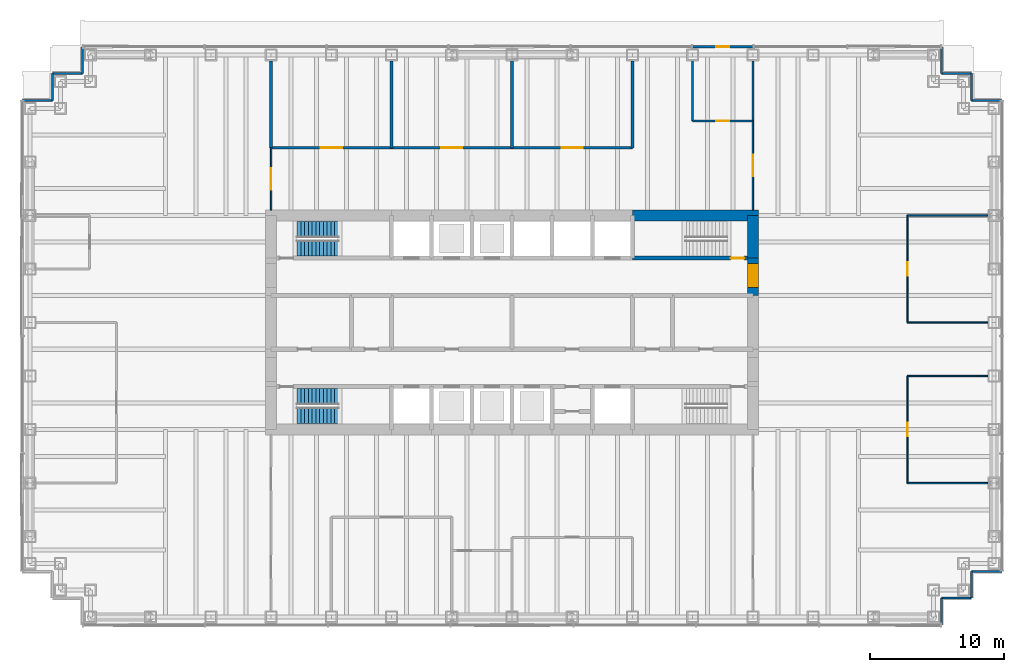
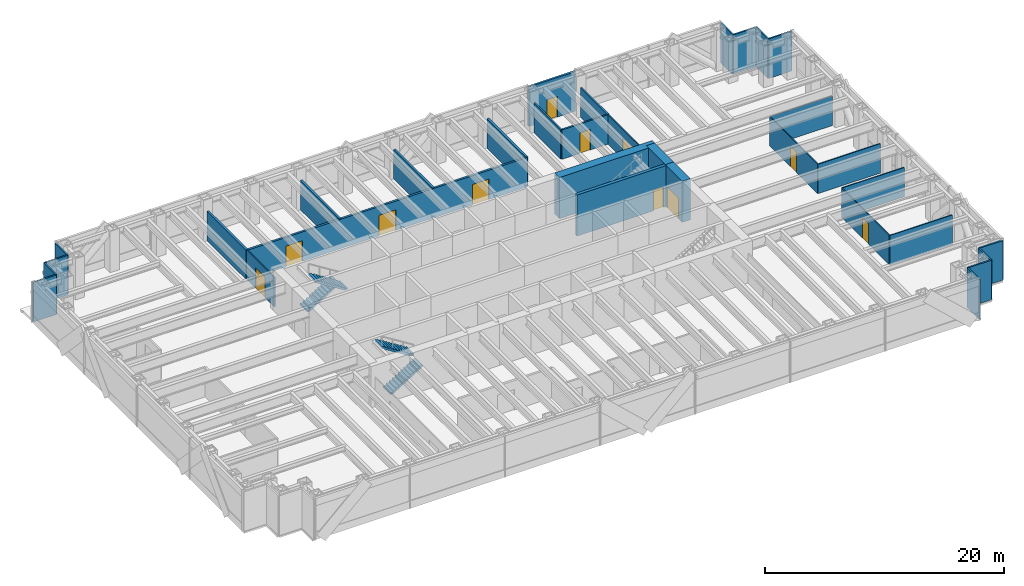
# One storey, part 11 of 14: 33 walls, 11 doors, 4 stair flights, 11 openings, 2 elements without a shape of their own.
"""IFC4 building model written with IfcOpenShell, lengths in metres."""

from ifc_helpers import new_model, si_unit, direction, frame, frame_2d, origin, place, context, subcontext, project, spatial, polyline, rectangle, outline, extrude, material, layer, layer_set, type_object, element, fill, aggregate, save


model = new_model("IFC4")

# Units and contexts
model_context = context("Model", 3, precision=1e-05, world=origin(), true_north=direction((0.0, 1.0)))
body_context = subcontext(model_context, "Body", "Model", "MODEL_VIEW")
ifc_project = project(units=[si_unit("LENGTHUNIT", "METRE"), si_unit("AREAUNIT", "SQUARE_METRE"), si_unit("VOLUMEUNIT", "CUBIC_METRE"), si_unit("PLANEANGLEUNIT", "RADIAN"), si_unit("MASSUNIT", "GRAM", prefix="KILO")], contexts=[model_context])

# Site, building, storey
site_placement = place(None, origin())
site = spatial("IfcSite", under=ifc_project, at=site_placement, CompositionType="ELEMENT")
building_placement = place(site_placement, origin())
building = spatial("IfcBuilding", under=site, at=building_placement, Name="Rheinbord Bourse Tower", CompositionType="ELEMENT")
storey_placement = place(building_placement, frame((0.0, 0.0, 185.800048828125)))
storey = spatial("IfcBuildingStorey", under=building, at=storey_placement, Name="L41", CompositionType="ELEMENT", Elevation=185.800048828125)

# Wall, openings, doors
ifc_material_1 = material(Name="Acoustic gypsum board partition", Category="gypsum board")
ifc_layer_1 = layer(ifc_material_1, 0.199951171875)
ifc_layer_set_1 = layer_set([ifc_layer_1], Name="ACOUSTIC PARTITION 200")
wall_type_1 = type_object("IfcWallType", Name="ACOUSTIC PARTITION 200", PredefinedType="PARTITIONING", material=ifc_layer_set_1)
wall_1_placement = place(storey_placement, frame((18.0, 37.050048828125, 0.0), z_axis=(0.0, 0.0, 1.0), x_axis=(1.0, 0.0, 0.0)))
wall_1 = element("IfcWall", 1, at=wall_1_placement, inside=storey, type_object=wall_type_1, Name="Partition L41-12", PredefinedType="PARTITIONING", context=body_context, shape_type="SweptSolid", body=[
    extrude(rectangle(XDim=27.0, YDim=0.199951171875, at=frame_2d((13.5, 0.0))), origin(), (0.0, 0.0, 1.0), 3.0),
])
opening_1_placement = place(wall_1_placement, frame((3.699951171875, 0.0, 0.0)))
opening_1 = element("IfcOpeningElement", 2, at=opening_1_placement, cuts=wall_1, Name="Opening 41D08", PredefinedType="OPENING", context=body_context, shape_type="SweptSolid", body=[
    extrude(rectangle(XDim=1.60009765625, YDim=2.10009765625, at=frame_2d((0.800048828125, 1.050048828125))), frame((0.0, 0.10986328125, 0.0), z_axis=(0.0, -1.0, 0.0), x_axis=(1.0, 0.0, 0.0)), (0.0, 0.0, 1.0), 0.219970703125),
])
opening_2_placement = place(wall_1_placement, frame((12.699951171875, 0.0, 0.0)))
opening_2 = element("IfcOpeningElement", 3, at=opening_2_placement, cuts=wall_1, Name="Opening 41D09", PredefinedType="OPENING", context=body_context, shape_type="SweptSolid", body=[
    extrude(rectangle(XDim=1.60009765625, YDim=2.10009765625, at=frame_2d((0.800048828125, 1.050048828125))), frame((0.0, 0.10986328125, 0.0), z_axis=(0.0, -1.0, 0.0), x_axis=(1.0, 0.0, 0.0)), (0.0, 0.0, 1.0), 0.219970703125),
])
opening_3_placement = place(wall_1_placement, frame((21.699951171875, 0.0, 0.0)))
opening_3 = element("IfcOpeningElement", 4, at=opening_3_placement, cuts=wall_1, Name="Opening 41D10", PredefinedType="OPENING", context=body_context, shape_type="SweptSolid", body=[
    extrude(rectangle(XDim=1.60009765625, YDim=2.10009765625, at=frame_2d((0.800048828125, 1.050048828125))), frame((0.0, 0.10986328125, 0.0), z_axis=(0.0, -1.0, 0.0), x_axis=(1.0, 0.0, 0.0)), (0.0, 0.0, 1.0), 0.219970703125),
])
ifc_material_2 = material(Name="Timber door", Category="wood")
door_type_1 = type_object("IfcDoorType", Name="DOUBLE ROOM DOOR 1600", OperationType="DOUBLE_DOOR_DOUBLE_SWING", PredefinedType="DOOR", material=ifc_material_2)
door_1_placement = place(opening_1_placement, origin())
door_1 = element("IfcDoor", 5, at=door_1_placement, inside=storey, type_object=door_type_1, Name="Conference room door L41", OperationType="SINGLE_SWING_LEFT", OverallHeight=2.10009765625, OverallWidth=1.60009765625, PredefinedType="DOOR", context=body_context, shape_type="SweptSolid", body=[
    extrude(rectangle(XDim=1.60009765625, YDim=2.10009765625, at=frame_2d((0.800048828125, 1.050048828125))), frame((0.0, 0.02490234375, 0.0), z_axis=(0.0, -1.0, 0.0), x_axis=(1.0, 0.0, 0.0)), (0.0, 0.0, 1.0), 0.050048828125),
])
fill(opening_1, door_1)
door_2_placement = place(opening_2_placement, origin())
door_2 = element("IfcDoor", 6, at=door_2_placement, inside=storey, type_object=door_type_1, Name="Conference room door L41", OperationType="SINGLE_SWING_LEFT", OverallHeight=2.10009765625, OverallWidth=1.60009765625, PredefinedType="DOOR", context=body_context, shape_type="SweptSolid", body=[
    extrude(rectangle(XDim=1.60009765625, YDim=2.10009765625, at=frame_2d((0.800048828125, 1.050048828125))), frame((0.0, 0.02490234375, 0.0), z_axis=(0.0, -1.0, 0.0), x_axis=(1.0, 0.0, 0.0)), (0.0, 0.0, 1.0), 0.050048828125),
])
fill(opening_2, door_2)
door_3_placement = place(opening_3_placement, origin())
door_3 = element("IfcDoor", 7, at=door_3_placement, inside=storey, type_object=door_type_1, Name="Conference room door L41", OperationType="SINGLE_SWING_LEFT", OverallHeight=2.10009765625, OverallWidth=1.60009765625, PredefinedType="DOOR", context=body_context, shape_type="SweptSolid", body=[
    extrude(rectangle(XDim=1.60009765625, YDim=2.10009765625, at=frame_2d((0.800048828125, 1.050048828125))), frame((0.0, 0.02490234375, 0.0), z_axis=(0.0, -1.0, 0.0), x_axis=(1.0, 0.0, 0.0)), (0.0, 0.0, 1.0), 0.050048828125),
])
fill(opening_3, door_3)

# Walls
for number, where, z_axis, x_axis, name in (
    (8, (18.0, 37.050048828125, 0.0), (0.0, 0.0, 1.0), (0.0, 1.0, 0.0), "Partition L41-18"),
    (9, (27.0, 37.050048828125, 0.0), (0.0, 0.0, 1.0), (0.0, 1.0, 0.0), "Partition L41-20"),
    (10, (36.0, 37.050048828125, 0.0), (0.0, 0.0, 1.0), (0.0, 1.0, 0.0), "Partition L41-23"),
    (11, (45.0, 37.050048828125, 0.0), (0.0, 0.0, 1.0), (0.0, 1.0, 0.0), "Partition L41-25"),
):
    element("IfcWall", number, at=place(storey_placement, frame(where, z_axis=z_axis, x_axis=x_axis)), inside=storey, type_object=wall_type_1, Name=name, PredefinedType="PARTITIONING", context=body_context, shape_type="SweptSolid", body=[
        extrude(rectangle(XDim=6.5, YDim=0.199951171875, at=frame_2d((3.25, 0.0))), origin(), (0.0, 0.0, 1.0), 3.0),
    ])

# Wall, opening, door
ifc_material_3 = material(Name="Concrete C50/60", Category="concrete")
ifc_layer_2 = layer(ifc_material_3, 0.300048828125)
ifc_layer_set_2 = layer_set([ifc_layer_2], Name="CORE INNER WALL 300")
wall_type_2 = type_object("IfcWallType", Name="CORE INNER WALL 300", PredefinedType="SOLIDWALL", material=ifc_layer_set_2)
wall_2_placement = place(storey_placement, frame((45.0, 28.800048828125, 0.0), z_axis=(0.0, 0.0, 1.0), x_axis=(1.0, 0.0, 0.0)))
wall_2 = element("IfcWall", 12, at=wall_2_placement, inside=storey, type_object=wall_type_2, Name="Core wall B8 L41", PredefinedType="SOLIDWALL", context=body_context, shape_type="SweptSolid", body=[
    extrude(rectangle(XDim=9.0, YDim=0.300048828125, at=frame_2d((4.5, 0.0))), origin(), (0.0, 0.0, 1.0), 4.199951171875),
])
opening_4_placement = place(wall_2_placement, frame((7.35009765625, 0.0, 0.0)))
opening_4 = element("IfcOpeningElement", 13, at=opening_4_placement, cuts=wall_2, Name="Opening 4140", PredefinedType="OPENING", context=body_context, shape_type="SweptSolid", body=[
    extrude(rectangle(XDim=1.0, YDim=2.10009765625, at=frame_2d((0.5, 1.050048828125))), frame((0.0, 0.159912109375, 0.0), z_axis=(0.0, -1.0, 0.0), x_axis=(1.0, 0.0, 0.0)), (0.0, 0.0, 1.0), 0.320068359375),
])
ifc_material_4 = material(Name="Steel door", Category="steel")
door_type_2 = type_object("IfcDoorType", Name="DOOR 1000 EI30", OperationType="SINGLE_SWING_LEFT", PredefinedType="DOOR", material=ifc_material_4)
door_4_placement = place(opening_4_placement, origin())
door_4 = element("IfcDoor", 14, at=door_4_placement, inside=storey, type_object=door_type_2, Name="Stair door ST4 L41", OperationType="SINGLE_SWING_RIGHT", OverallHeight=2.10009765625, OverallWidth=1.0, PredefinedType="DOOR", context=body_context, shape_type="SweptSolid", body=[
    extrude(rectangle(XDim=1.0, YDim=2.10009765625, at=frame_2d((0.5, 1.050048828125))), frame((0.0, 0.02490234375, 0.0), z_axis=(0.0, -1.0, 0.0), x_axis=(1.0, 0.0, 0.0)), (0.0, 0.0, 1.0), 0.050048828125),
])
fill(opening_4, door_4)

# Wall
ifc_material_5 = material(Name="Concrete C50/60", Category="concrete")
ifc_layer_3 = layer(ifc_material_5, 0.800048828125)
ifc_layer_set_3 = layer_set([ifc_layer_3], Name="CORE WALL 800")
wall_type_3 = type_object("IfcWallType", Name="CORE WALL 800", PredefinedType="SHEAR", material=ifc_layer_set_3)
wall_3_placement = place(storey_placement, frame((54.39990234375, 32.0, 0.0), z_axis=(0.0, 0.0, 1.0), x_axis=(-1.0, 0.0, 0.0)))
element("IfcWall", 15, at=wall_3_placement, inside=storey, type_object=wall_type_3, Name="Core wall N1 L41", PredefinedType="SHEAR", context=body_context, shape_type="SweptSolid", body=[
    extrude(rectangle(XDim=9.39990234375, YDim=0.800048828125, at=frame_2d((4.699951171875, 0.0))), origin(), (0.0, 0.0, 1.0), 4.199951171875),
])

# Wall, opening, door
wall_4_placement = place(storey_placement, frame((54.0, 26.0, 0.0), z_axis=(0.0, 0.0, 1.0), x_axis=(0.0, 1.0, 0.0)))
wall_4 = element("IfcWall", 16, at=wall_4_placement, inside=storey, type_object=wall_type_3, Name="Core wall E4 L41", PredefinedType="SHEAR", context=body_context, shape_type="SweptSolid", body=[
    extrude(rectangle(XDim=2.800048828125, YDim=0.800048828125, at=frame_2d((1.39990234375, 0.0))), origin(), (0.0, 0.0, 1.0), 4.199951171875),
])
opening_5_placement = place(wall_4_placement, frame((0.60009765625, 0.0, 0.0)))
opening_5 = element("IfcOpeningElement", 17, at=opening_5_placement, cuts=wall_4, Name="Opening 41L4", PredefinedType="OPENING", context=body_context, shape_type="SweptSolid", body=[
    extrude(rectangle(XDim=1.800048828125, YDim=2.10009765625, at=frame_2d((0.89990234375, 1.050048828125))), frame((0.0, 0.409912109375, 0.0), z_axis=(0.0, -1.0, 0.0), x_axis=(1.0, 0.0, 0.0)), (0.0, 0.0, 1.0), 0.820068359375),
])
ifc_material_6 = material(Name="Steel door", Category="steel")
door_type_3 = type_object("IfcDoorType", Name="DOOR 1800 EI30 DOUBLE", OperationType="DOUBLE_DOOR_DOUBLE_SWING", PredefinedType="DOOR", material=ifc_material_6)
door_5_placement = place(opening_5_placement, origin())
door_5 = element("IfcDoor", 18, at=door_5_placement, inside=storey, type_object=door_type_3, Name="Lobby door 4 L41", OperationType="SINGLE_SWING_LEFT", OverallHeight=2.10009765625, OverallWidth=1.800048828125, PredefinedType="DOOR", context=body_context, shape_type="SweptSolid", body=[
    extrude(rectangle(XDim=1.800048828125, YDim=2.10009765625, at=frame_2d((0.89990234375, 1.050048828125))), frame((0.0, 0.39990234375, 0.0), z_axis=(0.0, -1.0, 0.0), x_axis=(1.0, 0.0, 0.0)), (0.0, 0.0, 1.0), 0.799560546875),
])
fill(opening_5, door_5)

# Walls
wall_5_placement = place(storey_placement, frame((54.0, 28.800048828125, 0.0), z_axis=(0.0, 0.0, 1.0), x_axis=(0.0, 1.0, 0.0)))
element("IfcWall", 19, at=wall_5_placement, inside=storey, type_object=wall_type_3, Name="Core wall E5 L41", PredefinedType="SHEAR", context=body_context, shape_type="SweptSolid", body=[
    extrude(rectangle(XDim=3.199951171875, YDim=0.800048828125, at=frame_2d((1.60009765625, 0.0))), origin(), (0.0, 0.0, 1.0), 4.199951171875),
])
ifc_material_7 = material(Name="Black metal rainscreen panel", Category="aluminium")
ifc_layer_4 = layer(ifc_material_7, 0.14990234375)
ifc_layer_set_4 = layer_set([ifc_layer_4], Name="CORNER PIER CLADDING 150")
wall_type_4 = type_object("IfcWallType", Name="CORNER PIER CLADDING 150", PredefinedType="ELEMENTEDWALL", material=ifc_layer_set_4)
wall_6_placement = place(storey_placement, frame((68.10009765625, 1.39990234375, 0.0), z_axis=(0.0, 0.0, 1.0), x_axis=(0.0, 1.0, 0.0)))
element("IfcWall", 20, at=wall_6_placement, inside=storey, type_object=wall_type_4, Name="Corner pier cladding L41 2", PredefinedType="ELEMENTEDWALL", context=body_context, shape_type="SweptSolid", body=[
    extrude(rectangle(XDim=2.0, YDim=0.14990234375, at=frame_2d((1.0, 0.0))), origin(), (0.0, 0.0, 1.0), 4.0400390625),
])
wall_7_placement = place(storey_placement, frame((68.10009765625, 3.39990234375, 0.0), z_axis=(0.0, 0.0, 1.0), x_axis=(1.0, 0.0, 0.0)))
element("IfcWall", 21, at=wall_7_placement, inside=storey, type_object=wall_type_4, Name="Corner pier cladding L41 3", PredefinedType="ELEMENTEDWALL", context=body_context, shape_type="SweptSolid", body=[
    extrude(rectangle(XDim=2.25, YDim=0.14990234375, at=frame_2d((1.125, 0.0))), origin(), (0.0, 0.0, 1.0), 4.0400390625),
])
wall_8_placement = place(storey_placement, frame((70.35009765625, 3.39990234375, 0.0), z_axis=(0.0, 0.0, 1.0), x_axis=(0.0, 1.0, 0.0)))
element("IfcWall", 22, at=wall_8_placement, inside=storey, type_object=wall_type_4, Name="Corner pier cladding L41 4", PredefinedType="ELEMENTEDWALL", context=body_context, shape_type="SweptSolid", body=[
    extrude(rectangle(XDim=2.0, YDim=0.14990234375, at=frame_2d((1.0, 0.0))), origin(), (0.0, 0.0, 1.0), 4.0400390625),
])
for number, where, z_axis, x_axis, name in (
    (23, (70.35009765625, 5.39990234375, 0.0), (0.0, 0.0, 1.0), (1.0, 0.0, 0.0), "Corner pier cladding L41 5"),
    (24, (72.60009765625, 40.60009765625, 0.0), (0.0, 0.0, 1.0), (-1.0, 0.0, 0.0), "Corner pier cladding L41 7"),
):
    element("IfcWall", number, at=place(storey_placement, frame(where, z_axis=z_axis, x_axis=x_axis)), inside=storey, type_object=wall_type_4, Name=name, PredefinedType="ELEMENTEDWALL", context=body_context, shape_type="SweptSolid", body=[
        extrude(rectangle(XDim=2.25, YDim=0.14990234375, at=frame_2d((1.125, 0.0))), origin(), (0.0, 0.0, 1.0), 4.0400390625),
    ])
wall_9_placement = place(storey_placement, frame((70.35009765625, 40.60009765625, 0.0), z_axis=(0.0, 0.0, 1.0), x_axis=(0.0, 1.0, 0.0)))
element("IfcWall", 25, at=wall_9_placement, inside=storey, type_object=wall_type_4, Name="Corner pier cladding L41 8", PredefinedType="ELEMENTEDWALL", context=body_context, shape_type="SweptSolid", body=[
    extrude(rectangle(XDim=2.0, YDim=0.14990234375, at=frame_2d((1.0, 0.0))), origin(), (0.0, 0.0, 1.0), 4.0400390625),
])
wall_10_placement = place(storey_placement, frame((70.35009765625, 42.60009765625, 0.0), z_axis=(0.0, 0.0, 1.0), x_axis=(-1.0, 0.0, 0.0)))
element("IfcWall", 26, at=wall_10_placement, inside=storey, type_object=wall_type_4, Name="Corner pier cladding L41 9", PredefinedType="ELEMENTEDWALL", context=body_context, shape_type="SweptSolid", body=[
    extrude(rectangle(XDim=2.25, YDim=0.14990234375, at=frame_2d((1.125, 0.0))), origin(), (0.0, 0.0, 1.0), 4.0400390625),
])
for number, where, z_axis, x_axis, name in (
    (27, (68.10009765625, 42.60009765625, 0.0), (0.0, 0.0, 1.0), (0.0, 1.0, 0.0), "Corner pier cladding L41 10"),
    (28, (3.89990234375, 44.60009765625, 0.0), (0.0, 0.0, 1.0), (0.0, -1.0, 0.0), "Corner pier cladding L41 14"),
):
    element("IfcWall", number, at=place(storey_placement, frame(where, z_axis=z_axis, x_axis=x_axis)), inside=storey, type_object=wall_type_4, Name=name, PredefinedType="ELEMENTEDWALL", context=body_context, shape_type="SweptSolid", body=[
        extrude(rectangle(XDim=2.0, YDim=0.14990234375, at=frame_2d((1.0, 0.0))), origin(), (0.0, 0.0, 1.0), 4.0400390625),
    ])
wall_11_placement = place(storey_placement, frame((3.89990234375, 42.60009765625, 0.0), z_axis=(0.0, 0.0, 1.0), x_axis=(-1.0, 0.0, 0.0)))
element("IfcWall", 29, at=wall_11_placement, inside=storey, type_object=wall_type_4, Name="Corner pier cladding L41 15", PredefinedType="ELEMENTEDWALL", context=body_context, shape_type="SweptSolid", body=[
    extrude(rectangle(XDim=2.25, YDim=0.14990234375, at=frame_2d((1.125, 0.0))), origin(), (0.0, 0.0, 1.0), 4.0400390625),
])
wall_12_placement = place(storey_placement, frame((1.64990234375, 42.60009765625, 0.0), z_axis=(0.0, 0.0, 1.0), x_axis=(0.0, -1.0, 0.0)))
element("IfcWall", 30, at=wall_12_placement, inside=storey, type_object=wall_type_4, Name="Corner pier cladding L41 16", PredefinedType="ELEMENTEDWALL", context=body_context, shape_type="SweptSolid", body=[
    extrude(rectangle(XDim=2.0, YDim=0.14990234375, at=frame_2d((1.0, 0.0))), origin(), (0.0, 0.0, 1.0), 4.0400390625),
])
wall_13_placement = place(storey_placement, frame((1.64990234375, 40.60009765625, 0.0), z_axis=(0.0, 0.0, 1.0), x_axis=(-1.0, 0.0, 0.0)))
element("IfcWall", 31, at=wall_13_placement, inside=storey, type_object=wall_type_4, Name="Corner pier cladding L41 17", PredefinedType="ELEMENTEDWALL", context=body_context, shape_type="SweptSolid", body=[
    extrude(rectangle(XDim=2.25, YDim=0.14990234375, at=frame_2d((1.125, 0.0))), origin(), (0.0, 0.0, 1.0), 4.0400390625),
])

# Wall, opening, door
ifc_material_8 = material(Name="Gypsum board fire partition", Category="gypsum board")
ifc_layer_5 = layer(ifc_material_8, 0.14990234375)
ifc_layer_set_5 = layer_set([ifc_layer_5], Name="FIRE PARTITION 150 EI60")
wall_type_5 = type_object("IfcWallType", Name="FIRE PARTITION 150 EI60", PredefinedType="PARTITIONING", material=ifc_layer_set_5)
wall_14_placement = place(storey_placement, frame((49.5, 39.050048828125, 0.0), z_axis=(0.0, 0.0, 1.0), x_axis=(1.0, 0.0, 0.0)))
wall_14 = element("IfcWall", 32, at=wall_14_placement, inside=storey, type_object=wall_type_5, Name="Partition L41-13", PredefinedType="PARTITIONING", context=body_context, shape_type="SweptSolid", body=[
    extrude(rectangle(XDim=4.5, YDim=0.14990234375, at=frame_2d((2.25, 0.0))), origin(), (0.0, 0.0, 1.0), 3.0),
])
opening_6_placement = place(wall_14_placement, frame((1.75, 0.0, 0.0)))
opening_6 = element("IfcOpeningElement", 33, at=opening_6_placement, cuts=wall_14, Name="Opening 41D11", PredefinedType="OPENING", context=body_context, shape_type="SweptSolid", body=[
    extrude(rectangle(XDim=1.0, YDim=2.10009765625, at=frame_2d((0.5, 1.050048828125))), frame((0.0, 0.0849609375, 0.0), z_axis=(0.0, -1.0, 0.0), x_axis=(1.0, 0.0, 0.0)), (0.0, 0.0, 1.0), 0.169921875),
])
ifc_material_9 = material(Name="Timber fire door", Category="wood")
door_type_4 = type_object("IfcDoorType", Name="FIRE DOOR 1000 EI60", OperationType="SINGLE_SWING_LEFT", PredefinedType="DOOR", material=ifc_material_9)
door_6_placement = place(opening_6_placement, origin())
door_6 = element("IfcDoor", 34, at=door_6_placement, inside=storey, type_object=door_type_4, Name="Roof access lobby door L41", OperationType="SINGLE_SWING_LEFT", OverallHeight=2.10009765625, OverallWidth=1.0, PredefinedType="DOOR", context=body_context, shape_type="SweptSolid", body=[
    extrude(rectangle(XDim=1.0, YDim=2.10009765625, at=frame_2d((0.5, 1.050048828125))), frame((0.0, 0.02490234375, 0.0), z_axis=(0.0, -1.0, 0.0), x_axis=(1.0, 0.0, 0.0)), (0.0, 0.0, 1.0), 0.050048828125),
])
fill(opening_6, door_6)

# Walls
for number, where, z_axis, x_axis, name in (
    (35, (49.5, 39.050048828125, 0.0), (0.0, 0.0, 1.0), (0.0, 1.0, 0.0), "Partition L41-26"),
    (36, (54.0, 39.050048828125, 0.0), (0.0, 0.0, 1.0), (0.0, 1.0, 0.0), "Partition L41-29"),
):
    element("IfcWall", number, at=place(storey_placement, frame(where, z_axis=z_axis, x_axis=x_axis)), inside=storey, type_object=wall_type_5, Name=name, PredefinedType="PARTITIONING", context=body_context, shape_type="SweptSolid", body=[
        extrude(rectangle(XDim=4.5, YDim=0.14990234375, at=frame_2d((2.25, 0.0))), origin(), (0.0, 0.0, 1.0), 3.0),
    ])
ifc_material_10 = material(Name="Toughened laminated glass partition", Category="glass")
ifc_layer_6 = layer(ifc_material_10, 0.10009765625)
ifc_layer_set_6 = layer_set([ifc_layer_6], Name="GLAZED PARTITION 100")
wall_type_6 = type_object("IfcWallType", Name="GLAZED PARTITION 100", PredefinedType="PARTITIONING", material=ifc_layer_set_6)
for number, where, z_axis, x_axis, name in (
    (37, (65.550048828125, 12.0, 0.0), (0.0, 0.0, 1.0), (1.0, 0.0, 0.0), "Partition L41-05"),
    (38, (65.550048828125, 20.0, 0.0), (0.0, 0.0, 1.0), (1.0, 0.0, 0.0), "Partition L41-06"),
    (39, (65.550048828125, 24.0, 0.0), (0.0, 0.0, 1.0), (1.0, 0.0, 0.0), "Partition L41-08"),
    (40, (65.550048828125, 32.0, 0.0), (0.0, 0.0, 1.0), (1.0, 0.0, 0.0), "Partition L41-11"),
):
    element("IfcWall", number, at=place(storey_placement, frame(where, z_axis=z_axis, x_axis=x_axis)), inside=storey, type_object=wall_type_6, Name=name, PredefinedType="PARTITIONING", context=body_context, shape_type="SweptSolid", body=[
        extrude(rectangle(XDim=6.0, YDim=0.10009765625, at=frame_2d((3.0, 0.0))), origin(), (0.0, 0.0, 1.0), 3.0),
    ])

# Wall, opening, door
wall_15_placement = place(storey_placement, frame((18.0, 32.39990234375, 0.0), z_axis=(0.0, 0.0, 1.0), x_axis=(0.0, 1.0, 0.0)))
wall_15 = element("IfcWall", 41, at=wall_15_placement, inside=storey, type_object=wall_type_6, Name="Partition L41-17", PredefinedType="PARTITIONING", context=body_context, shape_type="SweptSolid", body=[
    extrude(rectangle(XDim=4.650146484375, YDim=0.10009765625, at=frame_2d((2.3251953125, 0.0))), origin(), (0.0, 0.0, 1.0), 3.0),
])
opening_7_placement = place(wall_15_placement, frame((1.52490234375, 0.0, 0.0)))
opening_7 = element("IfcOpeningElement", 42, at=opening_7_placement, cuts=wall_15, Name="Opening 41D14", PredefinedType="OPENING", context=body_context, shape_type="SweptSolid", body=[
    extrude(rectangle(XDim=1.60009765625, YDim=2.10009765625, at=frame_2d((0.800048828125, 1.050048828125))), frame((0.0, 0.06005859375, 0.0), z_axis=(0.0, -1.0, 0.0), x_axis=(1.0, 0.0, 0.0)), (0.0, 0.0, 1.0), 0.1201171875),
])
door_7_placement = place(opening_7_placement, origin())
door_7 = element("IfcDoor", 43, at=door_7_placement, inside=storey, type_object=door_type_1, Name="Open area door L41", OperationType="SINGLE_SWING_LEFT", OverallHeight=2.10009765625, OverallWidth=1.60009765625, PredefinedType="DOOR", context=body_context, shape_type="SweptSolid", body=[
    extrude(rectangle(XDim=1.60009765625, YDim=2.10009765625, at=frame_2d((0.800048828125, 1.050048828125))), frame((0.0, 0.02490234375, 0.0), z_axis=(0.0, -1.0, 0.0), x_axis=(1.0, 0.0, 0.0)), (0.0, 0.0, 1.0), 0.050048828125),
])
fill(opening_7, door_7)

wall_16_placement = place(storey_placement, frame((54.0, 32.39990234375, 0.0), z_axis=(0.0, 0.0, 1.0), x_axis=(0.0, 1.0, 0.0)))
wall_16 = element("IfcWall", 44, at=wall_16_placement, inside=storey, type_object=wall_type_6, Name="Partition L41-28", PredefinedType="PARTITIONING", context=body_context, shape_type="SweptSolid", body=[
    extrude(rectangle(XDim=6.650146484375, YDim=0.10009765625, at=frame_2d((3.3251953125, 0.0))), origin(), (0.0, 0.0, 1.0), 3.0),
])
opening_8_placement = place(wall_16_placement, frame((2.52490234375, 0.0, 0.0)))
opening_8 = element("IfcOpeningElement", 45, at=opening_8_placement, cuts=wall_16, Name="Opening 41D17", PredefinedType="OPENING", context=body_context, shape_type="SweptSolid", body=[
    extrude(rectangle(XDim=1.60009765625, YDim=2.10009765625, at=frame_2d((0.800048828125, 1.050048828125))), frame((0.0, 0.06005859375, 0.0), z_axis=(0.0, -1.0, 0.0), x_axis=(1.0, 0.0, 0.0)), (0.0, 0.0, 1.0), 0.1201171875),
])
door_8_placement = place(opening_8_placement, origin())
door_8 = element("IfcDoor", 46, at=door_8_placement, inside=storey, type_object=door_type_1, Name="Open area door L41", OperationType="SINGLE_SWING_LEFT", OverallHeight=2.10009765625, OverallWidth=1.60009765625, PredefinedType="DOOR", context=body_context, shape_type="SweptSolid", body=[
    extrude(rectangle(XDim=1.60009765625, YDim=2.10009765625, at=frame_2d((0.800048828125, 1.050048828125))), frame((0.0, 0.02490234375, 0.0), z_axis=(0.0, -1.0, 0.0), x_axis=(1.0, 0.0, 0.0)), (0.0, 0.0, 1.0), 0.050048828125),
])
fill(opening_8, door_8)

wall_17_placement = place(storey_placement, frame((65.550048828125, 12.0, 0.0), z_axis=(0.0, 0.0, 1.0), x_axis=(0.0, 1.0, 0.0)))
wall_17 = element("IfcWall", 47, at=wall_17_placement, inside=storey, type_object=wall_type_6, Name="Partition L41-30", PredefinedType="PARTITIONING", context=body_context, shape_type="SweptSolid", body=[
    extrude(rectangle(XDim=8.0, YDim=0.10009765625, at=frame_2d((4.0, 0.0))), origin(), (0.0, 0.0, 1.0), 3.0),
])
opening_9_placement = place(wall_17_placement, frame((3.5, 0.0, 0.0)))
opening_9 = element("IfcOpeningElement", 48, at=opening_9_placement, cuts=wall_17, Name="Opening 41D04", PredefinedType="OPENING", context=body_context, shape_type="SweptSolid", body=[
    extrude(rectangle(XDim=1.0, YDim=2.10009765625, at=frame_2d((0.5, 1.050048828125))), frame((0.0, 0.06005859375, 0.0), z_axis=(0.0, -1.0, 0.0), x_axis=(1.0, 0.0, 0.0)), (0.0, 0.0, 1.0), 0.1201171875),
])
ifc_material_11 = material(Name="Timber door", Category="wood")
door_type_5 = type_object("IfcDoorType", Name="ROOM DOOR 1000", OperationType="SINGLE_SWING_LEFT", PredefinedType="DOOR", material=ifc_material_11)
door_9_placement = place(opening_9_placement, origin())
door_9 = element("IfcDoor", 49, at=door_9_placement, inside=storey, type_object=door_type_5, Name="Delegate office door L41", OperationType="SINGLE_SWING_LEFT", OverallHeight=2.10009765625, OverallWidth=1.0, PredefinedType="DOOR", context=body_context, shape_type="SweptSolid", body=[
    extrude(rectangle(XDim=1.0, YDim=2.10009765625, at=frame_2d((0.5, 1.050048828125))), frame((0.0, 0.02490234375, 0.0), z_axis=(0.0, -1.0, 0.0), x_axis=(1.0, 0.0, 0.0)), (0.0, 0.0, 1.0), 0.050048828125),
])
fill(opening_9, door_9)

wall_18_placement = place(storey_placement, frame((65.550048828125, 24.0, 0.0), z_axis=(0.0, 0.0, 1.0), x_axis=(0.0, 1.0, 0.0)))
wall_18 = element("IfcWall", 50, at=wall_18_placement, inside=storey, type_object=wall_type_6, Name="Partition L41-31", PredefinedType="PARTITIONING", context=body_context, shape_type="SweptSolid", body=[
    extrude(rectangle(XDim=8.0, YDim=0.10009765625, at=frame_2d((4.0, 0.0))), origin(), (0.0, 0.0, 1.0), 3.0),
])
opening_10_placement = place(wall_18_placement, frame((3.5, 0.0, 0.0)))
opening_10 = element("IfcOpeningElement", 51, at=opening_10_placement, cuts=wall_18, Name="Opening 41D06", PredefinedType="OPENING", context=body_context, shape_type="SweptSolid", body=[
    extrude(rectangle(XDim=1.0, YDim=2.10009765625, at=frame_2d((0.5, 1.050048828125))), frame((0.0, 0.06005859375, 0.0), z_axis=(0.0, -1.0, 0.0), x_axis=(1.0, 0.0, 0.0)), (0.0, 0.0, 1.0), 0.1201171875),
])
door_10_placement = place(opening_10_placement, origin())
door_10 = element("IfcDoor", 52, at=door_10_placement, inside=storey, type_object=door_type_5, Name="Interpreters room door L41", OperationType="SINGLE_SWING_LEFT", OverallHeight=2.10009765625, OverallWidth=1.0, PredefinedType="DOOR", context=body_context, shape_type="SweptSolid", body=[
    extrude(rectangle(XDim=1.0, YDim=2.10009765625, at=frame_2d((0.5, 1.050048828125))), frame((0.0, 0.02490234375, 0.0), z_axis=(0.0, -1.0, 0.0), x_axis=(1.0, 0.0, 0.0)), (0.0, 0.0, 1.0), 0.050048828125),
])
fill(opening_10, door_10)

ifc_material_12 = material(Name="Insulated black metal panel on a steel frame", Category="steel")
ifc_layer_7 = layer(ifc_material_12, 0.199951171875)
ifc_layer_set_7 = layer_set([ifc_layer_7], Name="ROOF ACCESS INFILL WALL 200")
wall_type_7 = type_object("IfcWallType", Name="ROOF ACCESS INFILL WALL 200", PredefinedType="SOLIDWALL", material=ifc_layer_set_7)
wall_19_placement = place(storey_placement, frame((54.0, 44.60009765625, 0.0), z_axis=(0.0, 0.0, 1.0), x_axis=(-1.0, 0.0, 0.0)))
wall_19 = element("IfcWall", 53, at=wall_19_placement, inside=storey, type_object=wall_type_7, Name="Roof access infill wall N L41", PredefinedType="SOLIDWALL", context=body_context, shape_type="SweptSolid", body=[
    extrude(rectangle(XDim=4.5, YDim=0.199951171875, at=frame_2d((2.25, 0.0))), origin(), (0.0, 0.0, 1.0), 4.0400390625),
])
opening_11_placement = place(wall_19_placement, frame((1.75, 0.0, 0.0)))
opening_11 = element("IfcOpeningElement", 54, at=opening_11_placement, cuts=wall_19, Name="Opening 41RA1", PredefinedType="OPENING", context=body_context, shape_type="SweptSolid", body=[
    extrude(rectangle(XDim=1.0, YDim=2.10009765625, at=frame_2d((0.5, 1.050048828125))), frame((0.0, 0.10986328125, 0.0), z_axis=(0.0, -1.0, 0.0), x_axis=(1.0, 0.0, 0.0)), (0.0, 0.0, 1.0), 0.219970703125),
])
ifc_material_13 = material(Name="Insulated black steel door", Category="steel")
door_type_6 = type_object("IfcDoorType", Name="ROOF ACCESS DOOR 1000", OperationType="SINGLE_SWING_LEFT", PredefinedType="DOOR", material=ifc_material_13)
door_11_placement = place(opening_11_placement, origin())
door_11 = element("IfcDoor", 55, at=door_11_placement, inside=storey, type_object=door_type_6, Name="Roof access door N L41 (maintenance access only)", OperationType="SINGLE_SWING_LEFT", OverallHeight=2.10009765625, OverallWidth=1.0, PredefinedType="DOOR", context=body_context, shape_type="SweptSolid", body=[
    extrude(rectangle(XDim=1.0, YDim=2.10009765625, at=frame_2d((0.5, 1.050048828125))), frame((0.0, 0.02490234375, 0.0), z_axis=(0.0, -1.0, 0.0), x_axis=(1.0, 0.0, 0.0)), (0.0, 0.0, 1.0), 0.050048828125),
])
fill(opening_11, door_11)

# Stair, stair flights
ifc_material_14 = material(Name="Concrete C30/37", Category="concrete")
stair_type = type_object("IfcStairType", Name="CORE STAIR HALF TURN 4200", PredefinedType="HALF_TURN_STAIR", material=ifc_material_14)
stair_1_placement = place(storey_placement, origin())
stair_1 = element("IfcStair", 56, at=stair_1_placement, inside=storey, type_object=stair_type, Name="Stair ST1 L41, type CS6", PredefinedType="HALF_TURN_STAIR")
ifc_material_15 = material(Name="Concrete C30/37", Category="concrete")
stair_flight_type = type_object("IfcStairFlightType", Name="CORE STAIR FLIGHT 1200, 12 RISERS", PredefinedType="STRAIGHT", material=ifc_material_15)
stair_flight_1_placement = place(storey_placement, frame((19.949951171875, 17.050048828125, 0.0), z_axis=(0.0, 0.0, 1.0), x_axis=(1.0, 0.0, 0.0)))
stair_flight_1 = element("IfcStairFlight", 57, at=stair_flight_1_placement, type_object=stair_flight_type, Name="STAIR L41 ST1 F1", NumberOfRisers=12, NumberOfTreads=11, PredefinedType="STRAIGHT", RiserHeight=0.175, TreadLength=0.28, context=body_context, shape_type="SweptSolid", body=[
    extrude(outline(polyline([(0.0, 0.0), (0.0, 0.175048828125), (0.280029296875, 0.175048828125), (0.280029296875, 0.35009765625), (0.56005859375, 0.35009765625), (0.56005859375, 0.52490234375), (0.840087890625, 0.52490234375), (0.840087890625, 0.699951171875), (1.1201171875, 0.699951171875), (1.1201171875, 0.875), (1.39990234375, 0.875), (1.39990234375, 1.050048828125), (1.679931640625, 1.050048828125), (1.679931640625, 1.22509765625), (1.9599609375, 1.22509765625), (1.9599609375, 1.39990234375), (2.239990234375, 1.39990234375), (2.239990234375, 1.574951171875), (2.52001953125, 1.574951171875), (2.52001953125, 1.75), (2.800048828125, 1.75), (2.800048828125, 1.925048828125), (3.080078125, 1.925048828125), (3.080078125, 2.10009765625), (3.080078125, 1.748291015625), (0.28271484375, 0.0), (0.0, 0.0)])), frame((0.0, 0.60009765625, 0.0), z_axis=(0.0, -1.0, 0.0), x_axis=(1.0, 0.0, 0.0)), (0.0, 0.0, 1.0), 1.199951171875),
])
stair_flight_2_placement = place(storey_placement, frame((23.030029296875, 18.449951171875, 2.099853515625), z_axis=(0.0, 0.0, 1.0), x_axis=(-1.0, 0.0, 0.0)))
stair_flight_2 = element("IfcStairFlight", 58, at=stair_flight_2_placement, type_object=stair_flight_type, Name="STAIR L41 ST1 F2", NumberOfRisers=12, NumberOfTreads=11, PredefinedType="STRAIGHT", RiserHeight=0.175, TreadLength=0.28, context=body_context, shape_type="SweptSolid", body=[
    extrude(outline(polyline([(0.0, 0.0), (0.0, 0.175048828125), (0.280029296875, 0.175048828125), (0.280029296875, 0.35009765625), (0.56005859375, 0.35009765625), (0.56005859375, 0.52490234375), (0.840087890625, 0.52490234375), (0.840087890625, 0.699951171875), (1.1201171875, 0.699951171875), (1.1201171875, 0.875), (1.39990234375, 0.875), (1.39990234375, 1.050048828125), (1.679931640625, 1.050048828125), (1.679931640625, 1.22509765625), (1.9599609375, 1.22509765625), (1.9599609375, 1.39990234375), (2.239990234375, 1.39990234375), (2.239990234375, 1.574951171875), (2.52001953125, 1.574951171875), (2.52001953125, 1.75), (2.800048828125, 1.75), (2.800048828125, 1.925048828125), (3.080078125, 1.925048828125), (3.080078125, 2.10009765625), (3.080078125, 1.748291015625), (0.28271484375, 0.0), (0.0, 0.0)])), frame((0.0, 0.60009765625, 0.0), z_axis=(0.0, -1.0, 0.0), x_axis=(1.0, 0.0, 0.0)), (0.0, 0.0, 1.0), 1.199951171875),
])
aggregate(stair_1, [stair_flight_1, stair_flight_2])

stair_2_placement = place(storey_placement, origin())
stair_2 = element("IfcStair", 59, at=stair_2_placement, inside=storey, type_object=stair_type, Name="Stair ST2 L41, type CS6", PredefinedType="HALF_TURN_STAIR")
stair_flight_3_placement = place(storey_placement, frame((19.949951171875, 30.949951171875, 0.0), z_axis=(0.0, 0.0, 1.0), x_axis=(1.0, 0.0, 0.0)))
stair_flight_3 = element("IfcStairFlight", 60, at=stair_flight_3_placement, type_object=stair_flight_type, Name="STAIR L41 ST2 F1", NumberOfRisers=12, NumberOfTreads=11, PredefinedType="STRAIGHT", RiserHeight=0.175, TreadLength=0.28, context=body_context, shape_type="SweptSolid", body=[
    extrude(outline(polyline([(0.0, 0.0), (0.0, 0.175048828125), (0.280029296875, 0.175048828125), (0.280029296875, 0.35009765625), (0.56005859375, 0.35009765625), (0.56005859375, 0.52490234375), (0.840087890625, 0.52490234375), (0.840087890625, 0.699951171875), (1.1201171875, 0.699951171875), (1.1201171875, 0.875), (1.39990234375, 0.875), (1.39990234375, 1.050048828125), (1.679931640625, 1.050048828125), (1.679931640625, 1.22509765625), (1.9599609375, 1.22509765625), (1.9599609375, 1.39990234375), (2.239990234375, 1.39990234375), (2.239990234375, 1.574951171875), (2.52001953125, 1.574951171875), (2.52001953125, 1.75), (2.800048828125, 1.75), (2.800048828125, 1.925048828125), (3.080078125, 1.925048828125), (3.080078125, 2.10009765625), (3.080078125, 1.748291015625), (0.28271484375, 0.0), (0.0, 0.0)])), frame((0.0, 0.60009765625, 0.0), z_axis=(0.0, -1.0, 0.0), x_axis=(1.0, 0.0, 0.0)), (0.0, 0.0, 1.0), 1.199951171875),
])
stair_flight_4_placement = place(storey_placement, frame((23.030029296875, 29.550048828125, 2.099853515625), z_axis=(0.0, 0.0, 1.0), x_axis=(-1.0, 0.0, 0.0)))
stair_flight_4 = element("IfcStairFlight", 61, at=stair_flight_4_placement, type_object=stair_flight_type, Name="STAIR L41 ST2 F2", NumberOfRisers=12, NumberOfTreads=11, PredefinedType="STRAIGHT", RiserHeight=0.175, TreadLength=0.28, context=body_context, shape_type="SweptSolid", body=[
    extrude(outline(polyline([(0.0, 0.0), (0.0, 0.175048828125), (0.280029296875, 0.175048828125), (0.280029296875, 0.35009765625), (0.56005859375, 0.35009765625), (0.56005859375, 0.52490234375), (0.840087890625, 0.52490234375), (0.840087890625, 0.699951171875), (1.1201171875, 0.699951171875), (1.1201171875, 0.875), (1.39990234375, 0.875), (1.39990234375, 1.050048828125), (1.679931640625, 1.050048828125), (1.679931640625, 1.22509765625), (1.9599609375, 1.22509765625), (1.9599609375, 1.39990234375), (2.239990234375, 1.39990234375), (2.239990234375, 1.574951171875), (2.52001953125, 1.574951171875), (2.52001953125, 1.75), (2.800048828125, 1.75), (2.800048828125, 1.925048828125), (3.080078125, 1.925048828125), (3.080078125, 2.10009765625), (3.080078125, 1.748291015625), (0.28271484375, 0.0), (0.0, 0.0)])), frame((0.0, 0.60009765625, 0.0), z_axis=(0.0, -1.0, 0.0), x_axis=(1.0, 0.0, 0.0)), (0.0, 0.0, 1.0), 1.199951171875),
])
aggregate(stair_2, [stair_flight_3, stair_flight_4])

save(model, "model.ifc")
